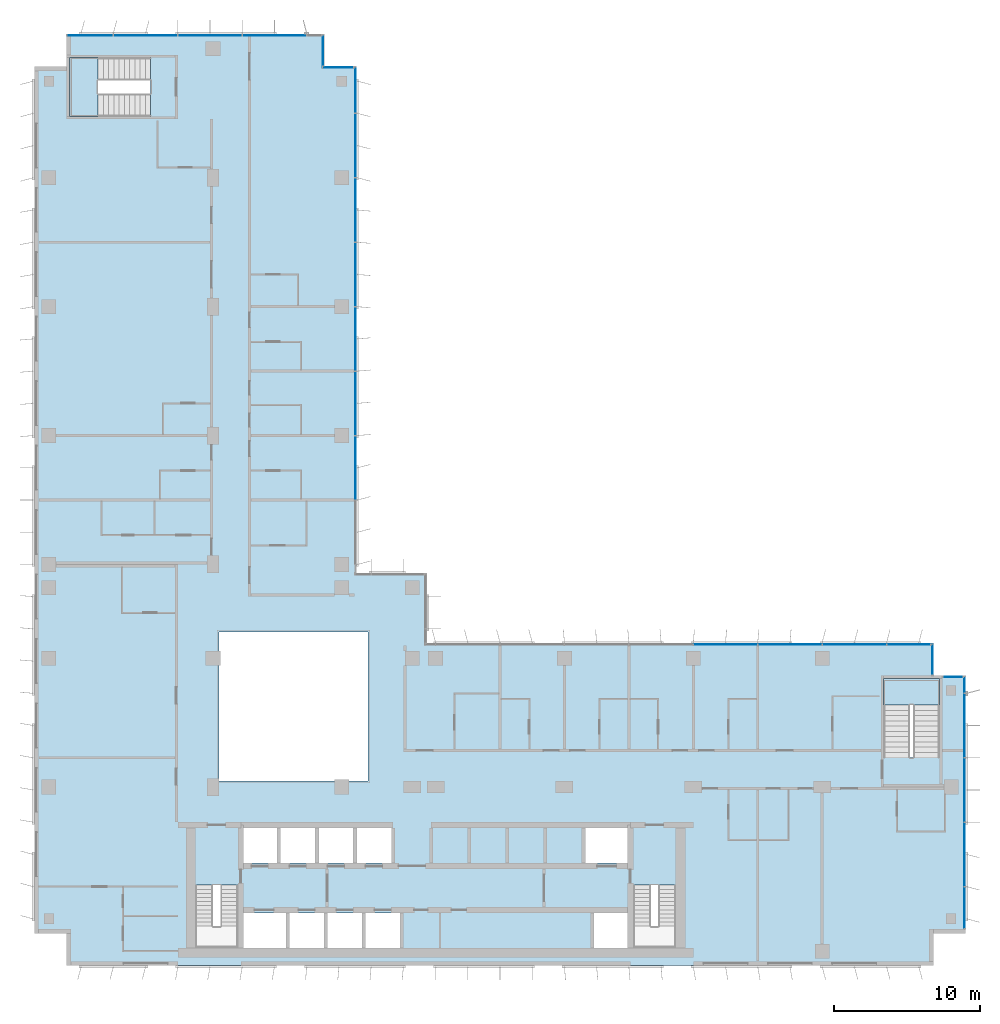
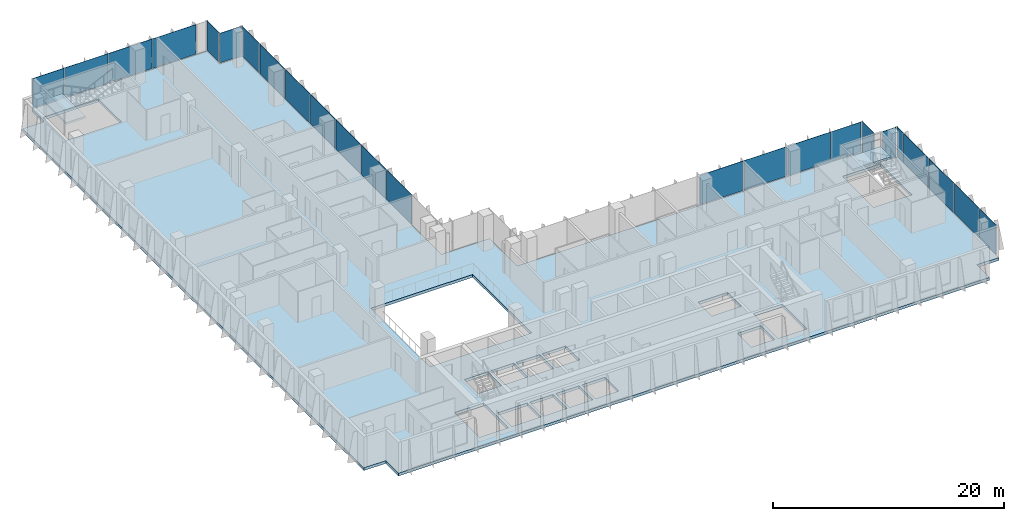
# One storey, part 11 of 21: 24 plates, 3 slabs, 10 elements without a shape of their own.
"""IFC4 building model written with IfcOpenShell, lengths in metres."""

from ifc_helpers import new_model, si_unit, direction, frame, origin, origin_2d, place, context, subcontext, project, spatial, polyline, rectangle, outline, extrude, source, transform, mapped, material, layer, layer_set, type_object, element, aggregate, save


model = new_model("IFC4")

# Units and contexts
model_context = context("Model", 3, precision=1e-05, world=origin(), true_north=direction((0.0, 1.0)))
body_context = subcontext(model_context, "Body", "Model", "MODEL_VIEW")
ifc_project = project(units=[si_unit("LENGTHUNIT", "METRE"), si_unit("AREAUNIT", "SQUARE_METRE"), si_unit("VOLUMEUNIT", "CUBIC_METRE"), si_unit("PLANEANGLEUNIT", "RADIAN"), si_unit("MASSUNIT", "GRAM", prefix="KILO")], contexts=[model_context])

# Site, building, storey
site_placement = place(None, origin())
site = spatial("IfcSite", under=ifc_project, at=site_placement, CompositionType="ELEMENT")
building_placement = place(site_placement, origin())
building = spatial("IfcBuilding", under=site, at=building_placement, Name="Kemantara Hotel Tower", CompositionType="ELEMENT")
storey_placement = place(building_placement, frame((0.0, 0.0, 198.800048828125)))
storey = spatial("IfcBuildingStorey", under=building, at=storey_placement, Name="L49", CompositionType="ELEMENT", Elevation=198.800048828125)

# Slab
ifc_material_1 = material(Name="Concrete fc 40 MPa", Category="concrete")
ifc_layer_1 = layer(ifc_material_1, 0.300048828125)
ifc_layer_set_1 = layer_set([ifc_layer_1], Name="Concrete fc 40 MPa")
slab_type_1 = type_object("IfcSlabType", Name="POST-TENSIONED FLAT PLATE 300", PredefinedType="FLOOR", material=ifc_layer_set_1)
slab_1_placement = place(storey_placement, frame((0.0, 0.0, -0.300048828125)))
element("IfcSlab", 1, at=slab_1_placement, inside=storey, type_object=slab_type_1, Name="FLOOR SLAB L49", PredefinedType="FLOOR", context=body_context, shape_type="SweptSolid", body=[
    extrude(outline(polyline([(22.0, 26.800048828125), (22.0, 61.39990234375), (19.800048828125, 61.39990234375), (19.800048828125, 63.60009765625), (2.199951171875, 63.60009765625), (2.199951171875, 61.39990234375), (0.0, 61.39990234375), (0.0, 2.199951171875), (2.199951171875, 2.199951171875), (2.199951171875, 0.0), (61.39990234375, 0.0), (61.39990234375, 2.199951171875), (63.60009765625, 2.199951171875), (63.60009765625, 19.800048828125), (61.39990234375, 19.800048828125), (61.39990234375, 22.0), (26.800048828125, 22.0), (26.800048828125, 26.800048828125), (22.0, 26.800048828125)]), holes=[polyline([(17.175048828125, 3.60009765625), (17.175048828125, 1.199951171875), (14.22509765625, 1.199951171875), (14.22509765625, 3.60009765625), (17.175048828125, 3.60009765625)]), polyline([(19.77490234375, 1.199951171875), (17.425048828125, 1.199951171875), (17.425048828125, 3.60009765625), (19.77490234375, 3.60009765625), (19.77490234375, 1.199951171875)]), polyline([(11.0, 1.199951171875), (11.0, 5.49951171875), (13.89990234375, 5.49951171875), (13.89990234375, 1.199951171875), (11.0, 1.199951171875)]), polyline([(16.574951171875, 7.0), (14.22509765625, 7.0), (14.22509765625, 9.39990234375), (16.574951171875, 9.39990234375), (16.574951171875, 7.0)]), polyline([(19.175048828125, 7.0), (16.824951171875, 7.0), (16.824951171875, 9.39990234375), (19.175048828125, 9.39990234375), (19.175048828125, 7.0)]), polyline([(21.77490234375, 7.0), (19.425048828125, 7.0), (19.425048828125, 9.39990234375), (21.77490234375, 9.39990234375), (21.77490234375, 7.0)]), polyline([(22.800048828125, 12.60009765625), (12.60009765625, 12.60009765625), (12.60009765625, 22.800048828125), (22.800048828125, 22.800048828125), (22.800048828125, 12.60009765625)]), polyline([(2.39990234375, 62.0), (7.949462890625, 62.0), (7.949462890625, 58.0), (2.39990234375, 58.0), (2.39990234375, 62.0)]), polyline([(22.375, 1.199951171875), (20.02490234375, 1.199951171875), (20.02490234375, 3.60009765625), (22.375, 3.60009765625), (22.375, 1.199951171875)]), polyline([(24.97509765625, 1.199951171875), (22.625, 1.199951171875), (22.625, 3.60009765625), (24.97509765625, 3.60009765625), (24.97509765625, 1.199951171875)]), polyline([(40.574951171875, 1.199951171875), (38.22509765625, 1.199951171875), (38.22509765625, 3.60009765625), (40.574951171875, 3.60009765625), (40.574951171875, 1.199951171875)]), polyline([(40.89990234375, 1.199951171875), (40.89990234375, 5.49951171875), (43.800048828125, 5.49951171875), (43.800048828125, 1.199951171875), (40.89990234375, 1.199951171875)]), polyline([(24.375, 7.0), (22.02490234375, 7.0), (22.02490234375, 9.39990234375), (24.375, 9.39990234375), (24.375, 7.0)]), polyline([(40.574951171875, 7.0), (37.625, 7.0), (37.625, 9.39990234375), (40.574951171875, 9.39990234375), (40.574951171875, 7.0)]), polyline([(61.800048828125, 19.60009765625), (61.800048828125, 14.20068359375), (58.0, 14.20068359375), (58.0, 19.60009765625), (61.800048828125, 19.60009765625)])]), origin(), (0.0, 0.0, 1.0), 0.300048828125),
])

# Stair, slab
stair_type_1 = type_object("IfcStairType", Name="Stair 1800 wide 22 risers of 168 x 360 mm", PredefinedType="HALF_TURN_STAIR", material=ifc_material_1)
stair_1_placement = place(storey_placement, origin())
stair_1 = element("IfcStair", 2, at=stair_1_placement, inside=storey, type_object=stair_type_1, Name="L49 Exit stair ST3", PredefinedType="HALF_TURN_STAIR")
ifc_layer_2 = layer(ifc_material_1, 0.199951171875)
ifc_layer_set_2 = layer_set([ifc_layer_2], Name="Concrete fc 40 MPa")
slab_type_2 = type_object("IfcSlabType", Name="Stair landing 200 mm", PredefinedType="LANDING", material=ifc_layer_set_2)
slab_2_placement = place(storey_placement, frame((0.0, 0.0, 1.64990234375)))
slab_2 = element("IfcSlab", 3, at=slab_2_placement, type_object=slab_type_2, Name="ST3 landing 1", PredefinedType="LANDING", context=body_context, shape_type="SweptSolid", body=[
    extrude(outline(polyline([(61.800048828125, 17.800048828125), (61.800048828125, 19.60009765625), (58.0, 19.60009765625), (58.0, 17.800048828125), (61.800048828125, 17.800048828125)])), origin(), (0.0, 0.0, 1.0), 0.199951171875),
])
aggregate(stair_1, [slab_2])

stair_type_2 = type_object("IfcStairType", Name="Stair 1550 wide 22 risers of 168 x 360 mm", PredefinedType="HALF_TURN_STAIR", material=ifc_material_1)
stair_2_placement = place(storey_placement, origin())
stair_2 = element("IfcStair", 4, at=stair_2_placement, inside=storey, type_object=stair_type_2, Name="L49 Exit stair ST4", PredefinedType="HALF_TURN_STAIR")
slab_3_placement = place(storey_placement, frame((0.0, 0.0, 1.64990234375)))
slab_3 = element("IfcSlab", 5, at=slab_3_placement, type_object=slab_type_2, Name="ST4 landing 1", PredefinedType="LANDING", context=body_context, shape_type="SweptSolid", body=[
    extrude(outline(polyline([(4.35009765625, 62.0), (2.39990234375, 62.0), (2.39990234375, 58.0), (4.35009765625, 58.0), (4.35009765625, 62.0)])), origin(), (0.0, 0.0, 1.0), 0.199951171875),
])
aggregate(stair_2, [slab_3])

# Curtain wall, plate
ifc_material_2 = material(Name="Low-E tinted double insulated glass 36 mm", Category="glass")
curtain_wall_type = type_object("IfcCurtainWallType", Name="TOWER CURTAIN WALL, FRONT FACES", PredefinedType="USERDEFINED", material=ifc_material_2)
curtain_wall_1_placement = place(storey_placement, origin())
curtain_wall_1 = element("IfcCurtainWall", 6, at=curtain_wall_1_placement, inside=storey, type_object=curtain_wall_type, Name="CW4 L49 T3-R11-1", ObjectType="TOWER CURTAIN WALL, FRONT FACES", PredefinedType="USERDEFINED")
ifc_layer_3 = layer(ifc_material_2, 0.035888671875)
ifc_layer_set_3 = layer_set([ifc_layer_3], Name="Low-E tinted double insulated glass 36 mm")
plate_type = type_object("IfcPlateType", Name="TOWER CURTAIN WALL, FRONT FACES PANEL", PredefinedType="CURTAIN_PANEL", material=ifc_layer_set_3)
shared_shape_1 = source(origin(), body_context, "Body", "SweptSolid", [
    extrude(rectangle(XDim=2.81005859375, YDim=0.035888671875, at=origin_2d()), origin(), (0.0, 0.0, 1.0), 3.1298828125),
])
plate_1_placement = place(storey_placement, frame((63.52490234375, 3.965087890625, 0.1201171875), z_axis=(0.0, 0.0, 1.0), x_axis=(0.0, 1.0, 0.0)))
plate_1 = element("IfcPlate", 7, at=plate_1_placement, type_object=plate_type, Name="CW4 glass panel T3-R11-1.1", PredefinedType="CURTAIN_PANEL", context=body_context, shape_type="MappedRepresentation", body=[
    mapped(shared_shape_1, transform((0.0, 0.0, 0.0))),
])

# Curtain wall, plates
curtain_wall_2_placement = place(storey_placement, origin())
curtain_wall_2 = element("IfcCurtainWall", 8, at=curtain_wall_2_placement, inside=storey, type_object=curtain_wall_type, Name="CW4 L49 T3-R02-1", ObjectType="TOWER CURTAIN WALL, FRONT FACES", PredefinedType="USERDEFINED")
shared_shape_2 = source(origin(), body_context, "Body", "SweptSolid", [
    extrude(rectangle(XDim=4.340087890625, YDim=0.035888671875, at=origin_2d()), origin(), (0.0, 0.0, 1.0), 3.1298828125),
])
plate_2_placement = place(storey_placement, frame((16.39990234375, 63.52490234375, 0.1201171875), z_axis=(0.0, 0.0, 1.0), x_axis=(-1.0, 0.0, 0.0)))
plate_2 = element("IfcPlate", 9, at=plate_2_placement, type_object=plate_type, Name="CW4 glass panel T3-R02-1.2", PredefinedType="CURTAIN_PANEL", context=body_context, shape_type="MappedRepresentation", body=[
    mapped(shared_shape_2, transform((0.0, 0.0, 0.0))),
])
plate_3_placement = place(storey_placement, frame((12.0, 63.52490234375, 0.1201171875), z_axis=(0.0, 0.0, 1.0), x_axis=(-1.0, 0.0, 0.0)))
plate_3 = element("IfcPlate", 10, at=plate_3_placement, type_object=plate_type, Name="CW4 glass panel T3-R02-1.3", PredefinedType="CURTAIN_PANEL", context=body_context, shape_type="MappedRepresentation", body=[
    mapped(shared_shape_2, transform((0.0, 0.0, 0.0))),
])
plate_4_placement = place(storey_placement, frame((7.60009765625, 63.52490234375, 0.1201171875), z_axis=(0.0, 0.0, 1.0), x_axis=(-1.0, 0.0, 0.0)))
plate_4 = element("IfcPlate", 11, at=plate_4_placement, type_object=plate_type, Name="CW4 glass panel T3-R02-1.4", PredefinedType="CURTAIN_PANEL", context=body_context, shape_type="MappedRepresentation", body=[
    mapped(shared_shape_2, transform((0.0, 0.0, 0.0))),
])

# Plate
plate_5_placement = place(storey_placement, frame((63.52490234375, 7.60009765625, 0.1201171875), z_axis=(0.0, 0.0, 1.0), x_axis=(0.0, 1.0, 0.0)))
plate_5 = element("IfcPlate", 12, at=plate_5_placement, type_object=plate_type, Name="CW4 glass panel T3-R11-1.2", PredefinedType="CURTAIN_PANEL", context=body_context, shape_type="MappedRepresentation", body=[
    mapped(shared_shape_2, transform((0.0, 0.0, 0.0))),
])

plate_6_placement = place(storey_placement, frame((63.52490234375, 12.0, 0.1201171875), z_axis=(0.0, 0.0, 1.0), x_axis=(0.0, 1.0, 0.0)))
plate_6 = element("IfcPlate", 13, at=plate_6_placement, type_object=plate_type, Name="CW4 glass panel T3-R11-1.3", PredefinedType="CURTAIN_PANEL", context=body_context, shape_type="MappedRepresentation", body=[
    mapped(shared_shape_2, transform((0.0, 0.0, 0.0))),
])

plate_7_placement = place(storey_placement, frame((63.52490234375, 16.39990234375, 0.1201171875), z_axis=(0.0, 0.0, 1.0), x_axis=(0.0, 1.0, 0.0)))
plate_7 = element("IfcPlate", 14, at=plate_7_placement, type_object=plate_type, Name="CW4 glass panel T3-R11-1.4", PredefinedType="CURTAIN_PANEL", context=body_context, shape_type="MappedRepresentation", body=[
    mapped(shared_shape_2, transform((0.0, 0.0, 0.0))),
])

# Curtain wall, plates
curtain_wall_3_placement = place(storey_placement, origin())
curtain_wall_3 = element("IfcCurtainWall", 15, at=curtain_wall_3_placement, inside=storey, type_object=curtain_wall_type, Name="CW4 L49 T3-R14-1", ObjectType="TOWER CURTAIN WALL, FRONT FACES", PredefinedType="USERDEFINED")
plate_8_placement = place(storey_placement, frame((56.0, 21.925048828125, 0.1201171875), z_axis=(0.0, 0.0, 1.0), x_axis=(-1.0, 0.0, 0.0)))
plate_8 = element("IfcPlate", 16, at=plate_8_placement, type_object=plate_type, Name="CW4 glass panel T3-R14-1.2", PredefinedType="CURTAIN_PANEL", context=body_context, shape_type="MappedRepresentation", body=[
    mapped(shared_shape_2, transform((0.0, 0.0, 0.0))),
])
plate_9_placement = place(storey_placement, frame((51.60009765625, 21.925048828125, 0.1201171875), z_axis=(0.0, 0.0, 1.0), x_axis=(-1.0, 0.0, 0.0)))
plate_9 = element("IfcPlate", 17, at=plate_9_placement, type_object=plate_type, Name="CW4 glass panel T3-R14-1.3", PredefinedType="CURTAIN_PANEL", context=body_context, shape_type="MappedRepresentation", body=[
    mapped(shared_shape_2, transform((0.0, 0.0, 0.0))),
])
plate_10_placement = place(storey_placement, frame((47.199951171875, 21.925048828125, 0.1201171875), z_axis=(0.0, 0.0, 1.0), x_axis=(-1.0, 0.0, 0.0)))
plate_10 = element("IfcPlate", 18, at=plate_10_placement, type_object=plate_type, Name="CW4 glass panel T3-R14-1.4", PredefinedType="CURTAIN_PANEL", context=body_context, shape_type="MappedRepresentation", body=[
    mapped(shared_shape_2, transform((0.0, 0.0, 0.0))),
])

curtain_wall_4_placement = place(storey_placement, origin())
curtain_wall_4 = element("IfcCurtainWall", 19, at=curtain_wall_4_placement, inside=storey, type_object=curtain_wall_type, Name="CW4 L49 T3-R17-1", ObjectType="TOWER CURTAIN WALL, FRONT FACES", PredefinedType="USERDEFINED")
plate_11_placement = place(storey_placement, frame((21.925048828125, 34.0, 0.1201171875), z_axis=(0.0, 0.0, 1.0), x_axis=(0.0, 1.0, 0.0)))
plate_11 = element("IfcPlate", 20, at=plate_11_placement, type_object=plate_type, Name="CW4 glass panel T3-R17-1.3", PredefinedType="CURTAIN_PANEL", context=body_context, shape_type="MappedRepresentation", body=[
    mapped(shared_shape_2, transform((0.0, 0.0, 0.0))),
])
plate_12_placement = place(storey_placement, frame((21.925048828125, 38.39990234375, 0.1201171875), z_axis=(0.0, 0.0, 1.0), x_axis=(0.0, 1.0, 0.0)))
plate_12 = element("IfcPlate", 21, at=plate_12_placement, type_object=plate_type, Name="CW4 glass panel T3-R17-1.4", PredefinedType="CURTAIN_PANEL", context=body_context, shape_type="MappedRepresentation", body=[
    mapped(shared_shape_2, transform((0.0, 0.0, 0.0))),
])
plate_13_placement = place(storey_placement, frame((21.925048828125, 42.800048828125, 0.1201171875), z_axis=(0.0, 0.0, 1.0), x_axis=(0.0, 1.0, 0.0)))
plate_13 = element("IfcPlate", 22, at=plate_13_placement, type_object=plate_type, Name="CW4 glass panel T3-R17-1.5", PredefinedType="CURTAIN_PANEL", context=body_context, shape_type="MappedRepresentation", body=[
    mapped(shared_shape_2, transform((0.0, 0.0, 0.0))),
])
plate_14_placement = place(storey_placement, frame((21.925048828125, 47.199951171875, 0.1201171875), z_axis=(0.0, 0.0, 1.0), x_axis=(0.0, 1.0, 0.0)))
plate_14 = element("IfcPlate", 23, at=plate_14_placement, type_object=plate_type, Name="CW4 glass panel T3-R17-1.6", PredefinedType="CURTAIN_PANEL", context=body_context, shape_type="MappedRepresentation", body=[
    mapped(shared_shape_2, transform((0.0, 0.0, 0.0))),
])
plate_15_placement = place(storey_placement, frame((21.925048828125, 51.60009765625, 0.1201171875), z_axis=(0.0, 0.0, 1.0), x_axis=(0.0, 1.0, 0.0)))
plate_15 = element("IfcPlate", 24, at=plate_15_placement, type_object=plate_type, Name="CW4 glass panel T3-R17-1.7", PredefinedType="CURTAIN_PANEL", context=body_context, shape_type="MappedRepresentation", body=[
    mapped(shared_shape_2, transform((0.0, 0.0, 0.0))),
])
plate_16_placement = place(storey_placement, frame((21.925048828125, 56.0, 0.1201171875), z_axis=(0.0, 0.0, 1.0), x_axis=(0.0, 1.0, 0.0)))
plate_16 = element("IfcPlate", 25, at=plate_16_placement, type_object=plate_type, Name="CW4 glass panel T3-R17-1.8", PredefinedType="CURTAIN_PANEL", context=body_context, shape_type="MappedRepresentation", body=[
    mapped(shared_shape_2, transform((0.0, 0.0, 0.0))),
])

# Plate
shared_shape_3 = source(origin(), body_context, "Body", "SweptSolid", [
    extrude(rectangle(XDim=2.9599609375, YDim=0.035888671875, at=origin_2d()), origin(), (0.0, 0.0, 1.0), 3.1298828125),
])
plate_17_placement = place(storey_placement, frame((59.7099609375, 21.925048828125, 0.1201171875), z_axis=(0.0, 0.0, 1.0), x_axis=(-1.0, 0.0, 0.0)))
plate_17 = element("IfcPlate", 26, at=plate_17_placement, type_object=plate_type, Name="CW4 glass panel T3-R14-1.1", PredefinedType="CURTAIN_PANEL", context=body_context, shape_type="MappedRepresentation", body=[
    mapped(shared_shape_3, transform((0.0, 0.0, 0.0))),
])

aggregate(curtain_wall_3, [plate_17, plate_8, plate_9, plate_10])

shared_shape_4 = source(origin(), body_context, "Body", "SweptSolid", [
    extrude(rectangle(XDim=3.110107421875, YDim=0.035888671875, at=origin_2d()), origin(), (0.0, 0.0, 1.0), 3.1298828125),
])
plate_18_placement = place(storey_placement, frame((3.81494140625, 63.52490234375, 0.1201171875), z_axis=(0.0, 0.0, 1.0), x_axis=(-1.0, 0.0, 0.0)))
plate_18 = element("IfcPlate", 27, at=plate_18_placement, type_object=plate_type, Name="CW4 glass panel T3-R02-1.5", PredefinedType="CURTAIN_PANEL", context=body_context, shape_type="MappedRepresentation", body=[
    mapped(shared_shape_4, transform((0.0, 0.0, 0.0))),
])

aggregate(curtain_wall_2, [plate_2, plate_3, plate_4, plate_18])

plate_19_placement = place(storey_placement, frame((21.925048828125, 59.784912109375, 0.1201171875), z_axis=(0.0, 0.0, 1.0), x_axis=(0.0, 1.0, 0.0)))
plate_19 = element("IfcPlate", 28, at=plate_19_placement, type_object=plate_type, Name="CW4 glass panel T3-R17-1.9", PredefinedType="CURTAIN_PANEL", context=body_context, shape_type="MappedRepresentation", body=[
    mapped(shared_shape_4, transform((0.0, 0.0, 0.0))),
])

aggregate(curtain_wall_4, [plate_11, plate_12, plate_13, plate_14, plate_15, plate_16, plate_19])

# Curtain wall, plate
curtain_wall_5_placement = place(storey_placement, origin())
curtain_wall_5 = element("IfcCurtainWall", 29, at=curtain_wall_5_placement, inside=storey, type_object=curtain_wall_type, Name="CW4 L49 T3-R00-1", ObjectType="TOWER CURTAIN WALL, FRONT FACES", PredefinedType="USERDEFINED")
shared_shape_5 = source(origin(), body_context, "Body", "SweptSolid", [
    extrude(rectangle(XDim=2.080078125, YDim=0.035888671875, at=origin_2d()), origin(), (0.0, 0.0, 1.0), 3.1298828125),
])
plate_20_placement = place(storey_placement, frame((20.75, 61.324951171875, 0.1201171875), z_axis=(0.0, 0.0, 1.0), x_axis=(-1.0, 0.0, 0.0)))
plate_20 = element("IfcPlate", 30, at=plate_20_placement, type_object=plate_type, Name="CW4 glass panel T3-R00-1.1", PredefinedType="CURTAIN_PANEL", context=body_context, shape_type="MappedRepresentation", body=[
    mapped(shared_shape_5, transform((0.0, 0.0, 0.0))),
])
aggregate(curtain_wall_5, [plate_20])

curtain_wall_6_placement = place(storey_placement, origin())
curtain_wall_6 = element("IfcCurtainWall", 31, at=curtain_wall_6_placement, inside=storey, type_object=curtain_wall_type, Name="CW4 L49 T3-R01-1", ObjectType="TOWER CURTAIN WALL, FRONT FACES", PredefinedType="USERDEFINED")
plate_21_placement = place(storey_placement, frame((19.72509765625, 62.5, 0.1201171875), z_axis=(0.0, 0.0, 1.0), x_axis=(0.0, 1.0, 0.0)))
plate_21 = element("IfcPlate", 32, at=plate_21_placement, type_object=plate_type, Name="CW4 glass panel T3-R01-1.1", PredefinedType="CURTAIN_PANEL", context=body_context, shape_type="MappedRepresentation", body=[
    mapped(shared_shape_5, transform((0.0, 0.0, 0.0))),
])
aggregate(curtain_wall_6, [plate_21])

curtain_wall_7_placement = place(storey_placement, origin())
curtain_wall_7 = element("IfcCurtainWall", 33, at=curtain_wall_7_placement, inside=storey, type_object=curtain_wall_type, Name="CW4 L49 T3-R13-1", ObjectType="TOWER CURTAIN WALL, FRONT FACES", PredefinedType="USERDEFINED")
plate_22_placement = place(storey_placement, frame((61.324951171875, 20.89990234375, 0.1201171875), z_axis=(0.0, 0.0, 1.0), x_axis=(0.0, 1.0, 0.0)))
plate_22 = element("IfcPlate", 34, at=plate_22_placement, type_object=plate_type, Name="CW4 glass panel T3-R13-1.1", PredefinedType="CURTAIN_PANEL", context=body_context, shape_type="MappedRepresentation", body=[
    mapped(shared_shape_5, transform((0.0, 0.0, 0.0))),
])
aggregate(curtain_wall_7, [plate_22])

# Plate
shared_shape_6 = source(origin(), body_context, "Body", "SweptSolid", [
    extrude(rectangle(XDim=1.110107421875, YDim=0.035888671875, at=origin_2d()), origin(), (0.0, 0.0, 1.0), 3.1298828125),
])
plate_23_placement = place(storey_placement, frame((63.52490234375, 19.18505859375, 0.1201171875), z_axis=(0.0, 0.0, 1.0), x_axis=(0.0, 1.0, 0.0)))
plate_23 = element("IfcPlate", 35, at=plate_23_placement, type_object=plate_type, Name="CW4 glass panel T3-R11-1.5", PredefinedType="CURTAIN_PANEL", context=body_context, shape_type="MappedRepresentation", body=[
    mapped(shared_shape_6, transform((0.0, 0.0, 0.0))),
])

aggregate(curtain_wall_1, [plate_1, plate_5, plate_6, plate_7, plate_23])

# Curtain wall, plate
curtain_wall_8_placement = place(storey_placement, origin())
curtain_wall_8 = element("IfcCurtainWall", 36, at=curtain_wall_8_placement, inside=storey, type_object=curtain_wall_type, Name="CW4 L49 T3-R12-1", ObjectType="TOWER CURTAIN WALL, FRONT FACES", PredefinedType="USERDEFINED")
shared_shape_7 = source(origin(), body_context, "Body", "SweptSolid", [
    extrude(rectangle(XDim=1.330078125, YDim=0.035888671875, at=origin_2d()), origin(), (0.0, 0.0, 1.0), 3.1298828125),
])
plate_24_placement = place(storey_placement, frame((62.72509765625, 19.72509765625, 0.1201171875), z_axis=(0.0, 0.0, 1.0), x_axis=(-1.0, 0.0, 0.0)))
plate_24 = element("IfcPlate", 37, at=plate_24_placement, type_object=plate_type, Name="CW4 glass panel T3-R12-1.1", PredefinedType="CURTAIN_PANEL", context=body_context, shape_type="MappedRepresentation", body=[
    mapped(shared_shape_7, transform((0.0, 0.0, 0.0))),
])
aggregate(curtain_wall_8, [plate_24])

save(model, "model.ifc")
